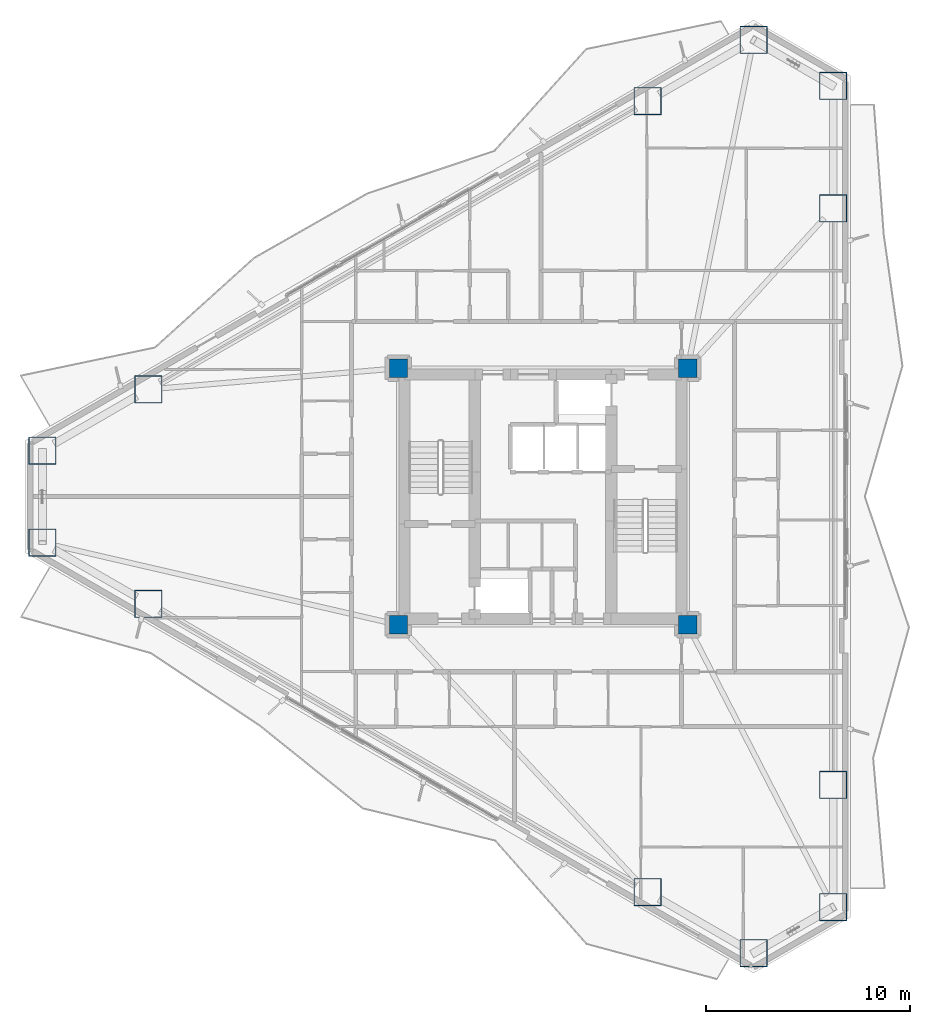
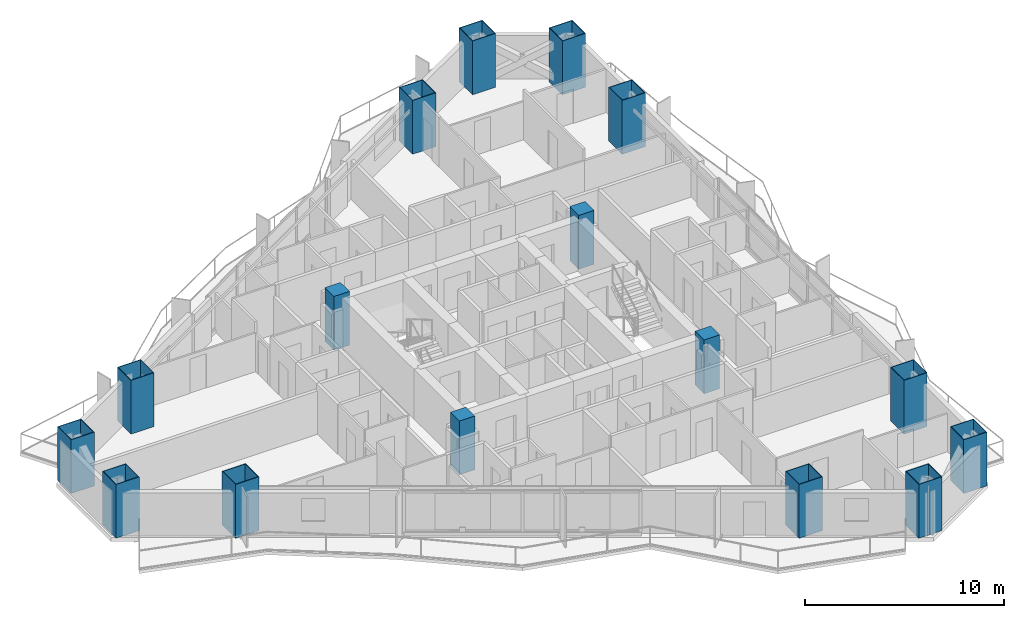
# One storey, part 1 of 18: 16 columns.
"""IFC4 building model written with IfcOpenShell, lengths in metres."""

from ifc_helpers import new_model, si_unit, direction, frame, origin, origin_2d, place, context, subcontext, project, spatial, rectangle, hollow_rectangle, extrude, material, material_profile, profile_set, type_object, element, save


model = new_model("IFC4")

# Units and contexts
model_context = context("Model", 3, precision=1e-05, world=origin(), true_north=direction((0.0, 1.0)))
body_context = subcontext(model_context, "Body", "Model", "MODEL_VIEW")
ifc_project = project(units=[si_unit("LENGTHUNIT", "METRE"), si_unit("AREAUNIT", "SQUARE_METRE"), si_unit("VOLUMEUNIT", "CUBIC_METRE"), si_unit("PLANEANGLEUNIT", "RADIAN"), si_unit("MASSUNIT", "GRAM", prefix="KILO")], contexts=[model_context])

# Site, building, storey
site_placement = place(None, origin())
site = spatial("IfcSite", under=ifc_project, at=site_placement, CompositionType="ELEMENT")
building_placement = place(site_placement, origin())
building = spatial("IfcBuilding", under=site, at=building_placement, Name="Mersakhor Tower and Convention Hall", CompositionType="ELEMENT")
storey_placement = place(building_placement, frame((0.0, 0.0, 39.0)))
storey = spatial("IfcBuildingStorey", under=building, at=storey_placement, Name="L10", CompositionType="ELEMENT", Elevation=39.0)

# Columns
ifc_material_1 = material(Name="Concrete C70/85 in S460M steel box", Category="concrete")
ifc_material_profile_1 = material_profile(ifc_material_1, hollow_rectangle(XDim=1.35009765625, YDim=1.35009765625, WallThickness=0.035888671875, at=origin_2d()), Name="SHS 1350x1350x36")
ifc_profile_set_1 = profile_set([ifc_material_profile_1], Name="Concrete C70/85 in S460M steel box")
column_type_1 = type_object("IfcColumnType", Name="COL-CFT-1350", PredefinedType="COLUMN", material=ifc_profile_set_1)
for number, where, z_axis, x_axis, name in (
    (1, (4.4130859375, 29.00927734375, 0.0), (0.0, 0.0, 1.0), (1.0, 0.0, 0.0), "L10 Perimeter Mega-Column MC-01"),
    (2, (9.61669921875, 32.013671875, 0.0), (0.0, 0.0, 1.0), (1.0, 0.0, 0.0), "L10 Perimeter Mega-Column MC-02"),
    (3, (34.13330078125, 46.168212890625, 0.0), (0.0, 0.0, 1.0), (1.0, 0.0, 0.0), "L10 Perimeter Mega-Column MC-03"),
    (4, (39.3369140625, 49.172607421875, 0.0), (0.0, 0.0, 1.0), (1.0, 0.0, 0.0), "L10 Perimeter Mega-Column MC-04"),
    (5, (43.25, 46.913330078125, 0.0), (0.0, 0.0, 1.0), (1.0, 0.0, 0.0), "L10 Perimeter Mega-Column MC-05"),
    (6, (43.25, 40.904541015625, 0.0), (0.0, 0.0, 1.0), (1.0, 0.0, 0.0), "L10 Perimeter Mega-Column MC-06"),
    (7, (43.25, 12.595458984375, 0.0), (0.0, 0.0, 1.0), (1.0, 0.0, 0.0), "L10 Perimeter Mega-Column MC-07"),
    (8, (43.25, 6.586669921875, 0.0), (0.0, 0.0, 1.0), (1.0, 0.0, 0.0), "L10 Perimeter Mega-Column MC-08"),
    (9, (39.3369140625, 4.327392578125, 0.0), (0.0, 0.0, 1.0), (1.0, 0.0, 0.0), "L10 Perimeter Mega-Column MC-09"),
    (10, (34.13330078125, 7.331787109375, 0.0), (0.0, 0.0, 1.0), (1.0, 0.0, 0.0), "L10 Perimeter Mega-Column MC-10"),
    (11, (9.61669921875, 21.486328125, 0.0), (0.0, 0.0, 1.0), (1.0, 0.0, 0.0), "L10 Perimeter Mega-Column MC-11"),
    (12, (4.4130859375, 24.49072265625, 0.0), (0.0, 0.0, 1.0), (1.0, 0.0, 0.0), "L10 Perimeter Mega-Column MC-12"),
):
    element("IfcColumn", number, at=place(storey_placement, frame(where, z_axis=z_axis, x_axis=x_axis)), inside=storey, type_object=column_type_1, Name=name, PredefinedType="COLUMN", context=body_context, shape_type="SweptSolid", body=[
        extrude(hollow_rectangle(XDim=1.35009765625, YDim=1.35009765625, WallThickness=0.035888671875, at=origin_2d()), origin(), (0.0, 0.0, 1.0), 3.300048828125),
    ])
ifc_material_2 = material(Name="Concrete C60/75", Category="concrete")
ifc_material_profile_2 = material_profile(ifc_material_2, rectangle(XDim=0.89990234375, YDim=0.89990234375, at=origin_2d()), Name="RC 900x900")
ifc_profile_set_2 = profile_set([ifc_material_profile_2], Name="Concrete C60/75")
column_type_2 = type_object("IfcColumnType", Name="COL-RC-900", PredefinedType="COLUMN", material=ifc_profile_set_2)
for number, where, z_axis, x_axis, name in (
    (13, (21.89990234375, 20.449951171875, 0.0), (0.0, 0.0, 1.0), (1.0, 0.0, 0.0), "L10 Core Corner Column CC-1"),
    (14, (21.89990234375, 33.050048828125, 0.0), (0.0, 0.0, 1.0), (1.0, 0.0, 0.0), "L10 Core Corner Column CC-2"),
    (15, (36.10009765625, 33.050048828125, 0.0), (0.0, 0.0, 1.0), (1.0, 0.0, 0.0), "L10 Core Corner Column CC-3"),
    (16, (36.10009765625, 20.449951171875, 0.0), (0.0, 0.0, 1.0), (1.0, 0.0, 0.0), "L10 Core Corner Column CC-4"),
):
    element("IfcColumn", number, at=place(storey_placement, frame(where, z_axis=z_axis, x_axis=x_axis)), inside=storey, type_object=column_type_2, Name=name, PredefinedType="COLUMN", context=body_context, shape_type="SweptSolid", body=[
        extrude(rectangle(XDim=0.89990234375, YDim=0.89990234375, at=origin_2d()), origin(), (0.0, 0.0, 1.0), 3.300048828125),
    ])

save(model, "model.ifc")
